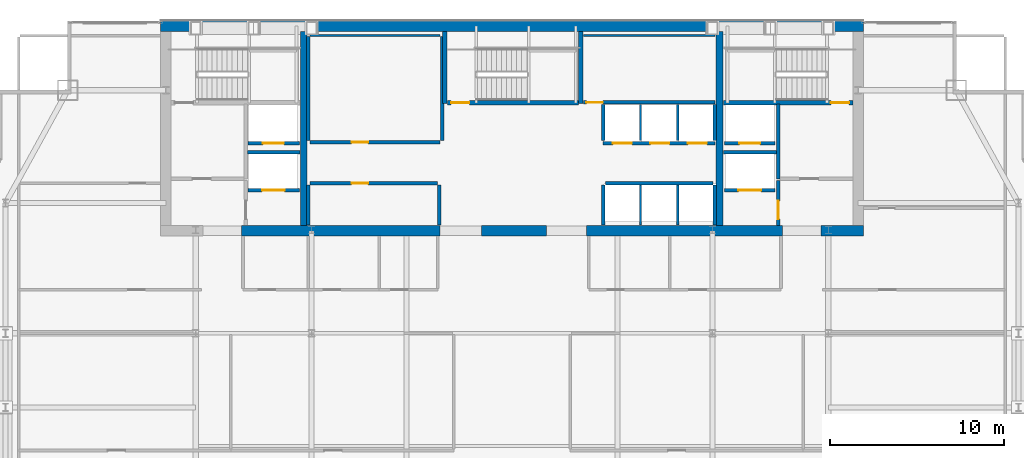
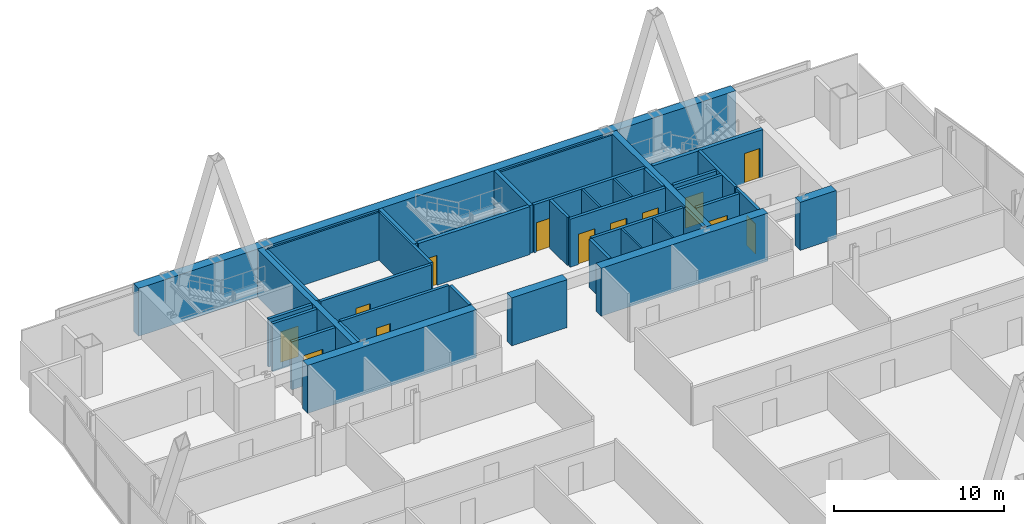
# One storey, part 29 of 32: 38 walls, 13 doors, 13 openings.
"""IFC4 building model written with IfcOpenShell, lengths in metres."""

from ifc_helpers import new_model, si_unit, direction, frame, frame_2d, origin, place, context, subcontext, project, spatial, rectangle, extrude, material, layer, layer_set, type_object, element, fill, save


model = new_model("IFC4")

# Units and contexts
model_context = context("Model", 3, precision=1e-05, world=origin(), true_north=direction((0.0, 1.0)))
body_context = subcontext(model_context, "Body", "Model", "MODEL_VIEW")
ifc_project = project(units=[si_unit("LENGTHUNIT", "METRE"), si_unit("AREAUNIT", "SQUARE_METRE"), si_unit("VOLUMEUNIT", "CUBIC_METRE"), si_unit("PLANEANGLEUNIT", "RADIAN"), si_unit("MASSUNIT", "GRAM", prefix="KILO")], contexts=[model_context])

# Site, building, storey
site_placement = place(None, origin())
site = spatial("IfcSite", under=ifc_project, at=site_placement, CompositionType="ELEMENT")
building_placement = place(site_placement, origin())
building = spatial("IfcBuilding", under=site, at=building_placement, Name="Khoronbel Lancet Exchange", CompositionType="ELEMENT")
storey_placement = place(building_placement, frame((0.0, 0.0, 199.39990234375)))
storey = spatial("IfcBuildingStorey", under=building, at=storey_placement, Name="L50", CompositionType="ELEMENT", Elevation=199.39990234375)

# Walls
ifc_material_1 = material(Name="Concrete C60/75", Category="concrete")
ifc_layer_1 = layer(ifc_material_1, 0.60009765625, Name="Concrete C60/75")
ifc_layer_set_1 = layer_set([ifc_layer_1], Name="Concrete C60/75")
wall_type_1 = type_object("IfcWallType", Name="WL-CW3", PredefinedType="SHEAR", material=ifc_layer_set_1)
wall_1_placement = place(storey_placement, frame((16.199951171875, 53.39990234375, 0.0), z_axis=(0.0, 0.0, 1.0), x_axis=(1.0, 0.0, 0.0)))
element("IfcWall", 1, at=wall_1_placement, inside=storey, type_object=wall_type_1, Name="Level L50 rear core north shear wall", PredefinedType="SHEAR", context=body_context, shape_type="SweptSolid", body=[
    extrude(rectangle(XDim=40.5, YDim=0.60009765625, at=frame_2d((20.25, 0.0))), origin(), (0.0, 0.0, 1.0), 3.440185546875),
])
wall_2_placement = place(storey_placement, frame((32.300048828125, 41.60009765625, 0.0), z_axis=(0.0, 0.0, 1.0), x_axis=(-1.0, 0.0, 0.0)))
element("IfcWall", 2, at=wall_2_placement, inside=storey, type_object=wall_type_1, Name="Level L50 rear core south shear wall pier P2", PredefinedType="SHEAR", context=body_context, shape_type="SweptSolid", body=[
    extrude(rectangle(XDim=11.449951171875, YDim=0.60009765625, at=frame_2d((5.72509765625, 0.0))), origin(), (0.0, 0.0, 1.0), 3.440185546875),
])
wall_3_placement = place(storey_placement, frame((38.449951171875, 41.60009765625, 0.0), z_axis=(0.0, 0.0, 1.0), x_axis=(-1.0, 0.0, 0.0)))
element("IfcWall", 3, at=wall_3_placement, inside=storey, type_object=wall_type_1, Name="Level L50 rear core south shear wall pier P3", PredefinedType="SHEAR", context=body_context, shape_type="SweptSolid", body=[
    extrude(rectangle(XDim=3.75, YDim=0.60009765625, at=frame_2d((1.875, 0.0))), origin(), (0.0, 0.0, 1.0), 3.440185546875),
])
wall_4_placement = place(storey_placement, frame((52.050048828125, 41.60009765625, 0.0), z_axis=(0.0, 0.0, 1.0), x_axis=(-1.0, 0.0, 0.0)))
element("IfcWall", 4, at=wall_4_placement, inside=storey, type_object=wall_type_1, Name="Level L50 rear core south shear wall pier P4", PredefinedType="SHEAR", context=body_context, shape_type="SweptSolid", body=[
    extrude(rectangle(XDim=11.300048828125, YDim=0.60009765625, at=frame_2d((5.64990234375, 0.0))), origin(), (0.0, 0.0, 1.0), 3.440185546875),
])
wall_5_placement = place(storey_placement, frame((56.699951171875, 41.60009765625, 0.0), z_axis=(0.0, 0.0, 1.0), x_axis=(-1.0, 0.0, 0.0)))
element("IfcWall", 5, at=wall_5_placement, inside=storey, type_object=wall_type_1, Name="Level L50 rear core south shear wall pier P5", PredefinedType="SHEAR", context=body_context, shape_type="SweptSolid", body=[
    extrude(rectangle(XDim=2.449951171875, YDim=0.60009765625, at=frame_2d((1.22509765625, 0.0))), origin(), (0.0, 0.0, 1.0), 3.440185546875),
])
ifc_material_2 = material(Name="Fire-Rated Metal-Stud & Mineral-Wool Gypsum Partition 120 mm", Category="gypsum")
ifc_layer_2 = layer(ifc_material_2, 0.1201171875, Name="Fire-Rated Metal-Stud & Mineral-Wool Gypsum Partition 120 mm")
ifc_layer_set_2 = layer_set([ifc_layer_2], Name="Fire-Rated Metal-Stud & Mineral-Wool Gypsum Partition 120 mm")
wall_type_2 = type_object("IfcWallType", Name="WL-PRT120F", PredefinedType="PARTITIONING", material=ifc_layer_set_2)
wall_6_placement = place(storey_placement, frame((24.804931640625, 52.860107421875, 0.0), z_axis=(0.0, 0.0, 1.0), x_axis=(1.0, 0.0, 0.0)))
element("IfcWall", 6, at=wall_6_placement, inside=storey, type_object=wall_type_2, Name="Level L50 interior partition CW-PL-RN", PredefinedType="PARTITIONING", context=body_context, shape_type="SweptSolid", body=[
    extrude(rectangle(XDim=7.510009765625, YDim=0.1201171875, at=frame_2d((3.7548828125, 0.0))), origin(), (0.0, 0.0, 1.0), 3.440185546875),
])
for number, where, z_axis, x_axis, name in (
    (7, (43.860107421875, 46.800048828125, 0.0), (0.0, 0.0, 1.0), (0.0, 1.0, 0.0), "Level L50 interior partition CW-PH-D1"),
    (8, (46.0, 46.800048828125, 0.0), (0.0, 0.0, 1.0), (0.0, 1.0, 0.0), "Level L50 interior partition CW-PH-D2"),
):
    element("IfcWall", number, at=place(storey_placement, frame(where, z_axis=z_axis, x_axis=x_axis)), inside=storey, type_object=wall_type_2, Name=name, PredefinedType="PARTITIONING", context=body_context, shape_type="SweptSolid", body=[
        extrude(rectangle(XDim=2.094970703125, YDim=0.1201171875, at=frame_2d((1.04736328125, 0.0))), origin(), (0.0, 0.0, 1.0), 3.440185546875),
    ])
for number, where, z_axis, x_axis, name in (
    (9, (43.860107421875, 41.949951171875, 0.0), (0.0, 0.0, 1.0), (0.0, 1.0, 0.0), "Level L50 interior partition CW-PX-D1"),
    (10, (46.0, 41.949951171875, 0.0), (0.0, 0.0, 1.0), (0.0, 1.0, 0.0), "Level L50 interior partition CW-PX-D2"),
):
    element("IfcWall", number, at=place(storey_placement, frame(where, z_axis=z_axis, x_axis=x_axis)), inside=storey, type_object=wall_type_2, Name=name, PredefinedType="PARTITIONING", context=body_context, shape_type="SweptSolid", body=[
        extrude(rectangle(XDim=2.295166015625, YDim=0.1201171875, at=frame_2d((1.1474609375, 0.0))), origin(), (0.0, 0.0, 1.0), 3.440185546875),
    ])
wall_7_placement = place(storey_placement, frame((40.580078125, 52.860107421875, 0.0), z_axis=(0.0, 0.0, 1.0), x_axis=(1.0, 0.0, 0.0)))
element("IfcWall", 11, at=wall_7_placement, inside=storey, type_object=wall_type_2, Name="Level L50 interior partition CW-SUP-NE-N", PredefinedType="PARTITIONING", context=body_context, shape_type="SweptSolid", body=[
    extrude(rectangle(XDim=7.559814453125, YDim=0.1201171875, at=frame_2d((3.77978515625, 0.0))), origin(), (0.0, 0.0, 1.0), 3.440185546875),
])

# Wall, opening, door
ifc_material_3 = material(Name="Autoclaved Aerated Concrete Blockwork 200 mm", Category="masonry")
ifc_layer_3 = layer(ifc_material_3, 0.199951171875, Name="Autoclaved Aerated Concrete Blockwork 200 mm")
ifc_layer_set_3 = layer_set([ifc_layer_3], Name="Autoclaved Aerated Concrete Blockwork 200 mm")
wall_type_3 = type_object("IfcWallType", Name="WL-PRT200", PredefinedType="PARTITIONING", material=ifc_layer_set_3)
wall_8_placement = place(storey_placement, frame((51.610107421875, 43.949951171875, 0.0), z_axis=(0.0, 0.0, 1.0), x_axis=(-1.0, 0.0, 0.0)))
wall_8 = element("IfcWall", 12, at=wall_8_placement, inside=storey, type_object=wall_type_3, Name="Level L50 elevator hoistway landing front wall SVLE", PredefinedType="PARTITIONING", context=body_context, shape_type="SweptSolid", body=[
    extrude(rectangle(XDim=2.920166015625, YDim=0.199951171875, at=frame_2d((1.4599609375, 0.0))), origin(), (0.0, 0.0, 1.0), 3.440185546875),
])
opening_1_placement = place(wall_8_placement, frame((0.81005859375, 0.0, 0.0)))
opening_1 = element("IfcOpeningElement", 13, at=opening_1_placement, cuts=wall_8, Name="Opening LD-SVL2", PredefinedType="OPENING", context=body_context, shape_type="SweptSolid", body=[
    extrude(rectangle(XDim=1.300048828125, YDim=2.179931640625, at=frame_2d((0.64990234375, 1.08984375))), frame((0.0, 0.10986328125, 0.0), z_axis=(0.0, -1.0, 0.0), x_axis=(1.0, 0.0, 0.0)), (0.0, 0.0, 1.0), 0.219970703125),
])
ifc_material_4 = material(Name="Heavy-Duty Bi-Parting Goods Lift Landing Door", Category="steel")
door_type_1 = type_object("IfcDoorType", Name="DR-LD-SVL", OperationType="NOTDEFINED", PredefinedType="DOOR", material=ifc_material_4)
door_1_placement = place(opening_1_placement, origin())
door_1 = element("IfcDoor", 14, at=door_1_placement, inside=storey, type_object=door_type_1, Name="Elevator landing sliding door LD-SVL2 L50", OperationType="SLIDING_TO_LEFT", OverallHeight=2.179931640625, OverallWidth=1.300048828125, PredefinedType="DOOR", context=body_context, shape_type="SweptSolid", body=[
    extrude(rectangle(XDim=1.300048828125, YDim=2.179931640625, at=frame_2d((0.64990234375, 1.08984375))), frame((0.0, 0.02490234375, 0.0), z_axis=(0.0, -1.0, 0.0), x_axis=(1.0, 0.0, 0.0)), (0.0, 0.0, 1.0), 0.050048828125),
])
fill(opening_1, door_1)

wall_9_placement = place(storey_placement, frame((24.2099609375, 43.949951171875, 0.0), z_axis=(0.0, 0.0, 1.0), x_axis=(-1.0, 0.0, 0.0)))
wall_9 = element("IfcWall", 15, at=wall_9_placement, inside=storey, type_object=wall_type_3, Name="Level L50 elevator hoistway landing front wall SVLW", PredefinedType="PARTITIONING", context=body_context, shape_type="SweptSolid", body=[
    extrude(rectangle(XDim=2.969970703125, YDim=0.199951171875, at=frame_2d((1.48486328125, 0.0))), origin(), (0.0, 0.0, 1.0), 3.440185546875),
])
opening_2_placement = place(wall_9_placement, frame((0.860107421875, 0.0, 0.0)))
opening_2 = element("IfcOpeningElement", 16, at=opening_2_placement, cuts=wall_9, Name="Opening LD-SVL1", PredefinedType="OPENING", context=body_context, shape_type="SweptSolid", body=[
    extrude(rectangle(XDim=1.300048828125, YDim=2.179931640625, at=frame_2d((0.64990234375, 1.08984375))), frame((0.0, 0.10986328125, 0.0), z_axis=(0.0, -1.0, 0.0), x_axis=(1.0, 0.0, 0.0)), (0.0, 0.0, 1.0), 0.219970703125),
])
door_2_placement = place(opening_2_placement, origin())
door_2 = element("IfcDoor", 17, at=door_2_placement, inside=storey, type_object=door_type_1, Name="Elevator landing sliding door LD-SVL1 L50", OperationType="SLIDING_TO_LEFT", OverallHeight=2.179931640625, OverallWidth=1.300048828125, PredefinedType="DOOR", context=body_context, shape_type="SweptSolid", body=[
    extrude(rectangle(XDim=1.300048828125, YDim=2.179931640625, at=frame_2d((0.64990234375, 1.08984375))), frame((0.0, 0.02490234375, 0.0), z_axis=(0.0, -1.0, 0.0), x_axis=(1.0, 0.0, 0.0)), (0.0, 0.0, 1.0), 0.050048828125),
])
fill(opening_2, door_2)

wall_10_placement = place(storey_placement, frame((51.610107421875, 46.64990234375, 0.0), z_axis=(0.0, 0.0, 1.0), x_axis=(-1.0, 0.0, 0.0)))
wall_10 = element("IfcWall", 18, at=wall_10_placement, inside=storey, type_object=wall_type_3, Name="Level L50 elevator hoistway landing front wall FFLE", PredefinedType="PARTITIONING", context=body_context, shape_type="SweptSolid", body=[
    extrude(rectangle(XDim=2.920166015625, YDim=0.199951171875, at=frame_2d((1.4599609375, 0.0))), origin(), (0.0, 0.0, 1.0), 3.440185546875),
])
opening_3_placement = place(wall_10_placement, frame((0.860107421875, 0.0, 0.0)))
opening_3 = element("IfcOpeningElement", 19, at=opening_3_placement, cuts=wall_10, Name="Opening LD-FFL2", PredefinedType="OPENING", context=body_context, shape_type="SweptSolid", body=[
    extrude(rectangle(XDim=1.199951171875, YDim=2.179931640625, at=frame_2d((0.60009765625, 1.08984375))), frame((0.0, 0.10986328125, 0.0), z_axis=(0.0, -1.0, 0.0), x_axis=(1.0, 0.0, 0.0)), (0.0, 0.0, 1.0), 0.219970703125),
])
ifc_material_5 = material(Name="Fire-Rated Stainless Bi-Parting Firefighting Lift Door", Category="steel")
door_type_2 = type_object("IfcDoorType", Name="DR-LD-FFL", OperationType="NOTDEFINED", PredefinedType="DOOR", material=ifc_material_5)
door_3_placement = place(opening_3_placement, origin())
door_3 = element("IfcDoor", 20, at=door_3_placement, inside=storey, type_object=door_type_2, Name="Elevator landing sliding door LD-FFL2 L50", OperationType="SLIDING_TO_LEFT", OverallHeight=2.179931640625, OverallWidth=1.199951171875, PredefinedType="DOOR", context=body_context, shape_type="SweptSolid", body=[
    extrude(rectangle(XDim=1.199951171875, YDim=2.179931640625, at=frame_2d((0.60009765625, 1.08984375))), frame((0.0, 0.02490234375, 0.0), z_axis=(0.0, -1.0, 0.0), x_axis=(1.0, 0.0, 0.0)), (0.0, 0.0, 1.0), 0.050048828125),
])
fill(opening_3, door_3)

wall_11_placement = place(storey_placement, frame((24.2099609375, 46.64990234375, 0.0), z_axis=(0.0, 0.0, 1.0), x_axis=(-1.0, 0.0, 0.0)))
wall_11 = element("IfcWall", 21, at=wall_11_placement, inside=storey, type_object=wall_type_3, Name="Level L50 elevator hoistway landing front wall FFLW", PredefinedType="PARTITIONING", context=body_context, shape_type="SweptSolid", body=[
    extrude(rectangle(XDim=2.969970703125, YDim=0.199951171875, at=frame_2d((1.48486328125, 0.0))), origin(), (0.0, 0.0, 1.0), 3.440185546875),
])
opening_4_placement = place(wall_11_placement, frame((0.909912109375, 0.0, 0.0)))
opening_4 = element("IfcOpeningElement", 22, at=opening_4_placement, cuts=wall_11, Name="Opening LD-FFL1", PredefinedType="OPENING", context=body_context, shape_type="SweptSolid", body=[
    extrude(rectangle(XDim=1.199951171875, YDim=2.179931640625, at=frame_2d((0.60009765625, 1.08984375))), frame((0.0, 0.10986328125, 0.0), z_axis=(0.0, -1.0, 0.0), x_axis=(1.0, 0.0, 0.0)), (0.0, 0.0, 1.0), 0.219970703125),
])
door_4_placement = place(opening_4_placement, origin())
door_4 = element("IfcDoor", 23, at=door_4_placement, inside=storey, type_object=door_type_2, Name="Elevator landing sliding door LD-FFL1 L50", OperationType="SLIDING_TO_LEFT", OverallHeight=2.179931640625, OverallWidth=1.199951171875, PredefinedType="DOOR", context=body_context, shape_type="SweptSolid", body=[
    extrude(rectangle(XDim=1.199951171875, YDim=2.179931640625, at=frame_2d((0.60009765625, 1.08984375))), frame((0.0, 0.02490234375, 0.0), z_axis=(0.0, -1.0, 0.0), x_axis=(1.0, 0.0, 0.0)), (0.0, 0.0, 1.0), 0.050048828125),
])
fill(opening_4, door_4)

# Wall, openings, doors
wall_12_placement = place(storey_placement, frame((48.159912109375, 46.64990234375, 0.0), z_axis=(0.0, 0.0, 1.0), x_axis=(-1.0, 0.0, 0.0)))
wall_12 = element("IfcWall", 24, at=wall_12_placement, inside=storey, type_object=wall_type_3, Name="Level L50 elevator hoistway landing front wall PHE", PredefinedType="PARTITIONING", context=body_context, shape_type="SweptSolid", body=[
    extrude(rectangle(XDim=6.47998046875, YDim=0.199951171875, at=frame_2d((3.239990234375, 0.0))), origin(), (0.0, 0.0, 1.0), 3.440185546875),
])
opening_5_placement = place(wall_12_placement, frame((4.800048828125, 0.0, 0.0)))
opening_5 = element("IfcOpeningElement", 25, at=opening_5_placement, cuts=wall_12, Name="Opening LD-PH1", PredefinedType="OPENING", context=body_context, shape_type="SweptSolid", body=[
    extrude(rectangle(XDim=1.10009765625, YDim=2.179931640625, at=frame_2d((0.550048828125, 1.08984375))), frame((0.0, 0.10986328125, 0.0), z_axis=(0.0, -1.0, 0.0), x_axis=(1.0, 0.0, 0.0)), (0.0, 0.0, 1.0), 0.219970703125),
])
opening_6_placement = place(wall_12_placement, frame((2.639892578125, 0.0, 0.0)))
opening_6 = element("IfcOpeningElement", 26, at=opening_6_placement, cuts=wall_12, Name="Opening LD-PH2", PredefinedType="OPENING", context=body_context, shape_type="SweptSolid", body=[
    extrude(rectangle(XDim=1.10009765625, YDim=2.179931640625, at=frame_2d((0.550048828125, 1.08984375))), frame((0.0, 0.10986328125, 0.0), z_axis=(0.0, -1.0, 0.0), x_axis=(1.0, 0.0, 0.0)), (0.0, 0.0, 1.0), 0.219970703125),
])
opening_7_placement = place(wall_12_placement, frame((0.47998046875, 0.0, 0.0)))
opening_7 = element("IfcOpeningElement", 27, at=opening_7_placement, cuts=wall_12, Name="Opening LD-PH3", PredefinedType="OPENING", context=body_context, shape_type="SweptSolid", body=[
    extrude(rectangle(XDim=1.10009765625, YDim=2.179931640625, at=frame_2d((0.550048828125, 1.08984375))), frame((0.0, 0.10986328125, 0.0), z_axis=(0.0, -1.0, 0.0), x_axis=(1.0, 0.0, 0.0)), (0.0, 0.0, 1.0), 0.219970703125),
])
ifc_material_6 = material(Name="Brushed Bronze Bi-Parting Elevator Landing Door", Category="steel")
door_type_3 = type_object("IfcDoorType", Name="DR-LD-PAX", OperationType="NOTDEFINED", PredefinedType="DOOR", material=ifc_material_6)
door_5_placement = place(opening_5_placement, origin())
door_5 = element("IfcDoor", 28, at=door_5_placement, inside=storey, type_object=door_type_3, Name="Elevator landing sliding door LD-PH1 L50", OperationType="SLIDING_TO_LEFT", OverallHeight=2.179931640625, OverallWidth=1.10009765625, PredefinedType="DOOR", context=body_context, shape_type="SweptSolid", body=[
    extrude(rectangle(XDim=1.10009765625, YDim=2.179931640625, at=frame_2d((0.550048828125, 1.08984375))), frame((0.0, 0.02490234375, 0.0), z_axis=(0.0, -1.0, 0.0), x_axis=(1.0, 0.0, 0.0)), (0.0, 0.0, 1.0), 0.050048828125),
])
fill(opening_5, door_5)
door_6_placement = place(opening_6_placement, origin())
door_6 = element("IfcDoor", 29, at=door_6_placement, inside=storey, type_object=door_type_3, Name="Elevator landing sliding door LD-PH2 L50", OperationType="SLIDING_TO_LEFT", OverallHeight=2.179931640625, OverallWidth=1.10009765625, PredefinedType="DOOR", context=body_context, shape_type="SweptSolid", body=[
    extrude(rectangle(XDim=1.10009765625, YDim=2.179931640625, at=frame_2d((0.550048828125, 1.08984375))), frame((0.0, 0.02490234375, 0.0), z_axis=(0.0, -1.0, 0.0), x_axis=(1.0, 0.0, 0.0)), (0.0, 0.0, 1.0), 0.050048828125),
])
fill(opening_6, door_6)
door_7_placement = place(opening_7_placement, origin())
door_7 = element("IfcDoor", 30, at=door_7_placement, inside=storey, type_object=door_type_3, Name="Elevator landing sliding door LD-PH3 L50", OperationType="SLIDING_TO_LEFT", OverallHeight=2.179931640625, OverallWidth=1.10009765625, PredefinedType="DOOR", context=body_context, shape_type="SweptSolid", body=[
    extrude(rectangle(XDim=1.10009765625, YDim=2.179931640625, at=frame_2d((0.550048828125, 1.08984375))), frame((0.0, 0.02490234375, 0.0), z_axis=(0.0, -1.0, 0.0), x_axis=(1.0, 0.0, 0.0)), (0.0, 0.0, 1.0), 0.050048828125),
])
fill(opening_7, door_7)

# Walls
wall_13_placement = place(storey_placement, frame((21.199951171875, 46.1201171875, 0.0), z_axis=(0.0, 0.0, 1.0), x_axis=(1.0, 0.0, 0.0)))
element("IfcWall", 31, at=wall_13_placement, inside=storey, type_object=wall_type_3, Name="Level L50 interior partition CW-FFL1-S", PredefinedType="PARTITIONING", context=body_context, shape_type="SweptSolid", body=[
    extrude(rectangle(XDim=3.02001953125, YDim=0.199951171875, at=frame_2d((1.510009765625, 0.0))), origin(), (0.0, 0.0, 1.0), 3.440185546875),
])
wall_14_placement = place(storey_placement, frame((51.800048828125, 44.60009765625, 0.0), z_axis=(0.0, 0.0, 1.0), x_axis=(0.0, 1.0, 0.0)))
element("IfcWall", 32, at=wall_14_placement, inside=storey, type_object=wall_type_3, Name="Level L50 interior partition CW-FFLE-W", PredefinedType="PARTITIONING", context=body_context, shape_type="SweptSolid", body=[
    extrude(rectangle(XDim=4.2998046875, YDim=0.199951171875, at=frame_2d((2.14990234375, 0.0))), origin(), (0.0, 0.0, 1.0), 3.440185546875),
])
wall_15_placement = place(storey_placement, frame((48.6298828125, 46.1201171875, 0.0), z_axis=(0.0, 0.0, 1.0), x_axis=(1.0, 0.0, 0.0)))
element("IfcWall", 33, at=wall_15_placement, inside=storey, type_object=wall_type_3, Name="Level L50 interior partition CW-FFL2-S", PredefinedType="PARTITIONING", context=body_context, shape_type="SweptSolid", body=[
    extrude(rectangle(XDim=3.070068359375, YDim=0.199951171875, at=frame_2d((1.53515625, 0.0))), origin(), (0.0, 0.0, 1.0), 3.440185546875),
])

# Wall, opening, door
wall_16_placement = place(storey_placement, frame((51.800048828125, 41.89990234375, 0.0), z_axis=(0.0, 0.0, 1.0), x_axis=(0.0, 1.0, 0.0)))
wall_16 = element("IfcWall", 34, at=wall_16_placement, inside=storey, type_object=wall_type_3, Name="Level L50 interior partition CW-SVLE-E", PredefinedType="PARTITIONING", context=body_context, shape_type="SweptSolid", body=[
    extrude(rectangle(XDim=2.59521484375, YDim=0.199951171875, at=frame_2d((1.297607421875, 0.0))), origin(), (0.0, 0.0, 1.0), 3.440185546875),
])
opening_8_placement = place(wall_16_placement, frame((0.3798828125, 0.0, 0.0)))
opening_8 = element("IfcOpeningElement", 35, at=opening_8_placement, cuts=wall_16, Name="Opening FD1", PredefinedType="OPENING", context=body_context, shape_type="SweptSolid", body=[
    extrude(rectangle(XDim=1.050048828125, YDim=2.14990234375, at=frame_2d((0.52490234375, 1.074951171875))), frame((0.0, 0.10986328125, 0.0), z_axis=(0.0, -1.0, 0.0), x_axis=(1.0, 0.0, 0.0)), (0.0, 0.0, 1.0), 0.219970703125),
])
ifc_material_7 = material(Name="Fire-Rated Painted Steel Door Assembly", Category="steel")
door_type_4 = type_object("IfcDoorType", Name="DR-FD1", OperationType="NOTDEFINED", PredefinedType="DOOR", material=ifc_material_7)
door_8_placement = place(opening_8_placement, origin())
door_8 = element("IfcDoor", 36, at=door_8_placement, inside=storey, type_object=door_type_4, Name="East service lift lobby door L50-1", OperationType="SINGLE_SWING_RIGHT", OverallHeight=2.14990234375, OverallWidth=1.050048828125, PredefinedType="DOOR", context=body_context, shape_type="SweptSolid", body=[
    extrude(rectangle(XDim=1.050048828125, YDim=2.14990234375, at=frame_2d((0.52490234375, 1.074951171875))), frame((0.0, 0.02490234375, 0.0), z_axis=(0.0, -1.0, 0.0), x_axis=(1.0, 0.0, 0.0)), (0.0, 0.0, 1.0), 0.050048828125),
])
fill(opening_8, door_8)

# Walls
for number, where, z_axis, x_axis, name in (
    (37, (24.699951171875, 46.804931640625, 0.0), (0.0, 0.0, 1.0), (0.0, 1.0, 0.0), "Level L50 interior partition CW-PL-RW"),
    (38, (32.419921875, 46.804931640625, 0.0), (0.0, 0.0, 1.0), (0.0, 1.0, 0.0), "Level L50 interior partition CW-PL-RE"),
):
    element("IfcWall", number, at=place(storey_placement, frame(where, z_axis=z_axis, x_axis=x_axis)), inside=storey, type_object=wall_type_3, Name=name, PredefinedType="PARTITIONING", context=body_context, shape_type="SweptSolid", body=[
        extrude(rectangle(XDim=5.989990234375, YDim=0.199951171875, at=frame_2d((2.9951171875, 0.0))), origin(), (0.0, 0.0, 1.0), 3.440185546875),
    ])

# Wall, opening, door
wall_17_placement = place(storey_placement, frame((24.804931640625, 46.699951171875, 0.0), z_axis=(0.0, 0.0, 1.0), x_axis=(1.0, 0.0, 0.0)))
wall_17 = element("IfcWall", 39, at=wall_17_placement, inside=storey, type_object=wall_type_3, Name="Level L50 interior partition CW-PL-RF", PredefinedType="PARTITIONING", context=body_context, shape_type="SweptSolid", body=[
    extrude(rectangle(XDim=7.510009765625, YDim=0.199951171875, at=frame_2d((3.7548828125, 0.0))), origin(), (0.0, 0.0, 1.0), 3.440185546875),
])
opening_9_placement = place(wall_17_placement, frame((2.39990234375, 0.0, 0.0)))
opening_9 = element("IfcOpeningElement", 40, at=opening_9_placement, cuts=wall_17, Name="Opening FD3", PredefinedType="OPENING", context=body_context, shape_type="SweptSolid", body=[
    extrude(rectangle(XDim=0.949951171875, YDim=2.10009765625, at=frame_2d((0.47509765625, 1.050048828125))), frame((0.0, 0.10986328125, 0.0), z_axis=(0.0, -1.0, 0.0), x_axis=(1.0, 0.0, 0.0)), (0.0, 0.0, 1.0), 0.219970703125),
])
ifc_material_8 = material(Name="Fire-Rated Steel Plant & Riser Door Assembly", Category="steel")
door_type_5 = type_object("IfcDoorType", Name="DR-FD3", OperationType="NOTDEFINED", PredefinedType="DOOR", material=ifc_material_8)
door_9_placement = place(opening_9_placement, origin())
door_9 = element("IfcDoor", 41, at=door_9_placement, inside=storey, type_object=door_type_5, Name="Reclaimed PL room door L50-1", OperationType="SINGLE_SWING_LEFT", OverallHeight=2.10009765625, OverallWidth=0.949951171875, PredefinedType="DOOR", context=body_context, shape_type="SweptSolid", body=[
    extrude(rectangle(XDim=0.949951171875, YDim=2.10009765625, at=frame_2d((0.47509765625, 1.050048828125))), frame((0.0, 0.02490234375, 0.0), z_axis=(0.0, -1.0, 0.0), x_axis=(1.0, 0.0, 0.0)), (0.0, 0.0, 1.0), 0.050048828125),
])
fill(opening_9, door_9)

# Walls
for number, where, z_axis, x_axis, name in (
    (42, (24.699951171875, 41.949951171875, 0.0), (0.0, 0.0, 1.0), (0.0, 1.0, 0.0), "Level L50 interior partition CW-PM-RW"),
    (43, (32.25, 41.949951171875, 0.0), (0.0, 0.0, 1.0), (0.0, 1.0, 0.0), "Level L50 interior partition CW-PM-RE"),
):
    element("IfcWall", number, at=place(storey_placement, frame(where, z_axis=z_axis, x_axis=x_axis)), inside=storey, type_object=wall_type_3, Name=name, PredefinedType="PARTITIONING", context=body_context, shape_type="SweptSolid", body=[
        extrude(rectangle(XDim=2.295166015625, YDim=0.199951171875, at=frame_2d((1.1474609375, 0.0))), origin(), (0.0, 0.0, 1.0), 3.440185546875),
    ])

# Wall, opening, door
wall_18_placement = place(storey_placement, frame((24.804931640625, 44.35009765625, 0.0), z_axis=(0.0, 0.0, 1.0), x_axis=(1.0, 0.0, 0.0)))
wall_18 = element("IfcWall", 44, at=wall_18_placement, inside=storey, type_object=wall_type_3, Name="Level L50 interior partition CW-PM-RF", PredefinedType="PARTITIONING", context=body_context, shape_type="SweptSolid", body=[
    extrude(rectangle(XDim=7.340087890625, YDim=0.199951171875, at=frame_2d((3.669921875, 0.0))), origin(), (0.0, 0.0, 1.0), 3.440185546875),
])
opening_10_placement = place(wall_18_placement, frame((2.39990234375, 0.0, 0.0)))
opening_10 = element("IfcOpeningElement", 45, at=opening_10_placement, cuts=wall_18, Name="Opening FD3", PredefinedType="OPENING", context=body_context, shape_type="SweptSolid", body=[
    extrude(rectangle(XDim=0.949951171875, YDim=2.10009765625, at=frame_2d((0.47509765625, 1.050048828125))), frame((0.0, 0.10986328125, 0.0), z_axis=(0.0, -1.0, 0.0), x_axis=(1.0, 0.0, 0.0)), (0.0, 0.0, 1.0), 0.219970703125),
])
door_10_placement = place(opening_10_placement, origin())
door_10 = element("IfcDoor", 46, at=door_10_placement, inside=storey, type_object=door_type_5, Name="Reclaimed PM room door L50-1", OperationType="SINGLE_SWING_RIGHT", OverallHeight=2.10009765625, OverallWidth=0.949951171875, PredefinedType="DOOR", context=body_context, shape_type="SweptSolid", body=[
    extrude(rectangle(XDim=0.949951171875, YDim=2.10009765625, at=frame_2d((0.47509765625, 1.050048828125))), frame((0.0, 0.02490234375, 0.0), z_axis=(0.0, -1.0, 0.0), x_axis=(1.0, 0.0, 0.0)), (0.0, 0.0, 1.0), 0.050048828125),
])
fill(opening_10, door_10)

# Walls
for number, where, z_axis, x_axis, name in (
    (47, (41.719970703125, 46.800048828125, 0.0), (0.0, 0.0, 1.0), (0.0, 1.0, 0.0), "Level L50 interior partition CW-PH-W"),
    (48, (48.139892578125, 46.800048828125, 0.0), (0.0, 0.0, 1.0), (0.0, 1.0, 0.0), "Level L50 interior partition CW-PH-E"),
):
    element("IfcWall", number, at=place(storey_placement, frame(where, z_axis=z_axis, x_axis=x_axis)), inside=storey, type_object=wall_type_3, Name=name, PredefinedType="PARTITIONING", context=body_context, shape_type="SweptSolid", body=[
        extrude(rectangle(XDim=2.094970703125, YDim=0.199951171875, at=frame_2d((1.04736328125, 0.0))), origin(), (0.0, 0.0, 1.0), 3.440185546875),
    ])
wall_19_placement = place(storey_placement, frame((41.824951171875, 44.35009765625, 0.0), z_axis=(0.0, 0.0, 1.0), x_axis=(1.0, 0.0, 0.0)))
element("IfcWall", 49, at=wall_19_placement, inside=storey, type_object=wall_type_3, Name="Level L50 interior partition CW-PX-EXP", PredefinedType="PARTITIONING", context=body_context, shape_type="SweptSolid", body=[
    extrude(rectangle(XDim=6.2099609375, YDim=0.199951171875, at=frame_2d((3.10498046875, 0.0))), origin(), (0.0, 0.0, 1.0), 3.440185546875),
])
for number, where, z_axis, x_axis, name in (
    (50, (41.719970703125, 41.949951171875, 0.0), (0.0, 0.0, 1.0), (0.0, 1.0, 0.0), "Level L50 interior partition CW-PX-W"),
    (51, (48.139892578125, 41.949951171875, 0.0), (0.0, 0.0, 1.0), (0.0, 1.0, 0.0), "Level L50 interior partition CW-PX-E"),
):
    element("IfcWall", number, at=place(storey_placement, frame(where, z_axis=z_axis, x_axis=x_axis)), inside=storey, type_object=wall_type_3, Name=name, PredefinedType="PARTITIONING", context=body_context, shape_type="SweptSolid", body=[
        extrude(rectangle(XDim=2.295166015625, YDim=0.199951171875, at=frame_2d((1.1474609375, 0.0))), origin(), (0.0, 0.0, 1.0), 3.440185546875),
    ])

# Wall, opening, door
wall_20_placement = place(storey_placement, frame((40.580078125, 49.0, 0.0), z_axis=(0.0, 0.0, 1.0), x_axis=(1.0, 0.0, 0.0)))
wall_20 = element("IfcWall", 52, at=wall_20_placement, inside=storey, type_object=wall_type_3, Name="Level L50 interior partition CW-SUP-NE-S", PredefinedType="PARTITIONING", context=body_context, shape_type="SweptSolid", body=[
    extrude(rectangle(XDim=7.559814453125, YDim=0.199951171875, at=frame_2d((3.77978515625, 0.0))), origin(), (0.0, 0.0, 1.0), 3.440185546875),
])
opening_11_placement = place(wall_20_placement, frame((0.159912109375, 0.0, 0.0)))
opening_11 = element("IfcOpeningElement", 53, at=opening_11_placement, cuts=wall_20, Name="Opening FD3", PredefinedType="OPENING", context=body_context, shape_type="SweptSolid", body=[
    extrude(rectangle(XDim=0.949951171875, YDim=2.10009765625, at=frame_2d((0.47509765625, 1.050048828125))), frame((0.0, 0.10986328125, 0.0), z_axis=(0.0, -1.0, 0.0), x_axis=(1.0, 0.0, 0.0)), (0.0, 0.0, 1.0), 0.219970703125),
])
door_11_placement = place(opening_11_placement, origin())
door_11 = element("IfcDoor", 54, at=door_11_placement, inside=storey, type_object=door_type_5, Name="Core NE support room door L50-1", OperationType="SINGLE_SWING_LEFT", OverallHeight=2.10009765625, OverallWidth=0.949951171875, PredefinedType="DOOR", context=body_context, shape_type="SweptSolid", body=[
    extrude(rectangle(XDim=0.949951171875, YDim=2.10009765625, at=frame_2d((0.47509765625, 1.050048828125))), frame((0.0, 0.02490234375, 0.0), z_axis=(0.0, -1.0, 0.0), x_axis=(1.0, 0.0, 0.0)), (0.0, 0.0, 1.0), 0.050048828125),
])
fill(opening_11, door_11)

# Walls
ifc_layer_4 = layer(ifc_material_1, 0.39990234375, Name="Concrete C60/75")
ifc_layer_set_4 = layer_set([ifc_layer_4], Name="Concrete C60/75")
wall_type_4 = type_object("IfcWallType", Name="WL-SW2", PredefinedType="SHEAR", material=ifc_layer_set_4)
for number, where, z_axis, x_axis, name in (
    (55, (24.449951171875, 41.89990234375, 0.0), (0.0, 0.0, 1.0), (0.0, 1.0, 0.0), "Level L50 rear core internal spine shear wall IW"),
    (56, (48.39990234375, 41.89990234375, 0.0), (0.0, 0.0, 1.0), (0.0, 1.0, 0.0), "Level L50 rear core internal spine shear wall IE"),
):
    element("IfcWall", number, at=place(storey_placement, frame(where, z_axis=z_axis, x_axis=x_axis)), inside=storey, type_object=wall_type_4, Name=name, PredefinedType="SHEAR", context=body_context, shape_type="SweptSolid", body=[
        extrude(rectangle(XDim=11.2001953125, YDim=0.39990234375, at=frame_2d((5.60009765625, 0.0))), origin(), (0.0, 0.0, 1.0), 3.440185546875),
    ])
ifc_layer_5 = layer(ifc_material_1, 0.260009765625, Name="Concrete C60/75")
ifc_layer_set_5 = layer_set([ifc_layer_5], Name="Concrete C60/75")
wall_type_5 = type_object("IfcWallType", Name="WL-SW3", PredefinedType="SHEAR", material=ifc_layer_set_5)
for number, where, z_axis, x_axis, name in (
    (57, (32.580078125, 48.949951171875, 0.0), (0.0, 0.0, 1.0), (0.0, 1.0, 0.0), "Level L50 central stairwell structural shear wall ST3W"),
    (58, (40.419921875, 48.949951171875, 0.0), (0.0, 0.0, 1.0), (0.0, 1.0, 0.0), "Level L50 central stairwell structural shear wall ST3E"),
):
    element("IfcWall", number, at=place(storey_placement, frame(where, z_axis=z_axis, x_axis=x_axis)), inside=storey, type_object=wall_type_5, Name=name, PredefinedType="SHEAR", context=body_context, shape_type="SweptSolid", body=[
        extrude(rectangle(XDim=4.150146484375, YDim=0.260009765625, at=frame_2d((2.0751953125, 0.0))), origin(), (0.0, 0.0, 1.0), 3.440185546875),
    ])

# Wall, opening, door
wall_21_placement = place(storey_placement, frame((48.6298828125, 48.97998046875, 0.0), z_axis=(0.0, 0.0, 1.0), x_axis=(1.0, 0.0, 0.0)))
wall_21 = element("IfcWall", 59, at=wall_21_placement, inside=storey, type_object=wall_type_5, Name="Level L50 east stairwell structural south wall", PredefinedType="SHEAR", context=body_context, shape_type="SweptSolid", body=[
    extrude(rectangle(XDim=7.47021484375, YDim=0.239990234375, at=frame_2d((3.735107421875, 0.0))), origin(), (0.0, 0.0, 1.0), 3.440185546875),
])
opening_12_placement = place(wall_21_placement, frame((6.199951171875, 0.0, 0.0)))
opening_12 = element("IfcOpeningElement", 60, at=opening_12_placement, cuts=wall_21, Name="Opening SD1", PredefinedType="OPENING", context=body_context, shape_type="SweptSolid", body=[
    extrude(rectangle(XDim=1.050048828125, YDim=2.14990234375, at=frame_2d((0.52490234375, 1.074951171875))), frame((0.0, 0.1298828125, 0.0), z_axis=(0.0, -1.0, 0.0), x_axis=(1.0, 0.0, 0.0)), (0.0, 0.0, 1.0), 0.260009765625),
])
ifc_material_9 = material(Name="Fire-Rated Steel Stairwell Door Assembly", Category="steel")
door_type_6 = type_object("IfcDoorType", Name="DR-SD1", OperationType="NOTDEFINED", PredefinedType="DOOR", material=ifc_material_9)
door_12_placement = place(opening_12_placement, origin())
door_12 = element("IfcDoor", 61, at=door_12_placement, inside=storey, type_object=door_type_6, Name="Protected exit stair ST2 door L50", OperationType="SINGLE_SWING_RIGHT", OverallHeight=2.14990234375, OverallWidth=1.050048828125, PredefinedType="DOOR", context=body_context, shape_type="SweptSolid", body=[
    extrude(rectangle(XDim=1.050048828125, YDim=2.14990234375, at=frame_2d((0.52490234375, 1.074951171875))), frame((0.0, 0.02490234375, 0.0), z_axis=(0.0, -1.0, 0.0), x_axis=(1.0, 0.0, 0.0)), (0.0, 0.0, 1.0), 0.050048828125),
])
fill(opening_12, door_12)

wall_22_placement = place(storey_placement, frame((32.719970703125, 48.97998046875, 0.0), z_axis=(0.0, 0.0, 1.0), x_axis=(1.0, 0.0, 0.0)))
wall_22 = element("IfcWall", 62, at=wall_22_placement, inside=storey, type_object=wall_type_5, Name="Level L50 central stairwell structural south wall", PredefinedType="SHEAR", context=body_context, shape_type="SweptSolid", body=[
    extrude(rectangle(XDim=7.56005859375, YDim=0.239990234375, at=frame_2d((3.780029296875, 0.0))), origin(), (0.0, 0.0, 1.0), 3.440185546875),
])
opening_13_placement = place(wall_22_placement, frame((0.219970703125, 0.0, 0.0)))
opening_13 = element("IfcOpeningElement", 63, at=opening_13_placement, cuts=wall_22, Name="Opening SD1", PredefinedType="OPENING", context=body_context, shape_type="SweptSolid", body=[
    extrude(rectangle(XDim=1.050048828125, YDim=2.14990234375, at=frame_2d((0.52490234375, 1.074951171875))), frame((0.0, 0.1298828125, 0.0), z_axis=(0.0, -1.0, 0.0), x_axis=(1.0, 0.0, 0.0)), (0.0, 0.0, 1.0), 0.260009765625),
])
door_13_placement = place(opening_13_placement, origin())
door_13 = element("IfcDoor", 64, at=door_13_placement, inside=storey, type_object=door_type_6, Name="Protected exit stair ST3 door L50", OperationType="SINGLE_SWING_LEFT", OverallHeight=2.14990234375, OverallWidth=1.050048828125, PredefinedType="DOOR", context=body_context, shape_type="SweptSolid", body=[
    extrude(rectangle(XDim=1.050048828125, YDim=2.14990234375, at=frame_2d((0.52490234375, 1.074951171875))), frame((0.0, 0.02490234375, 0.0), z_axis=(0.0, -1.0, 0.0), x_axis=(1.0, 0.0, 0.0)), (0.0, 0.0, 1.0), 0.050048828125),
])
fill(opening_13, door_13)

save(model, "model.ifc")
